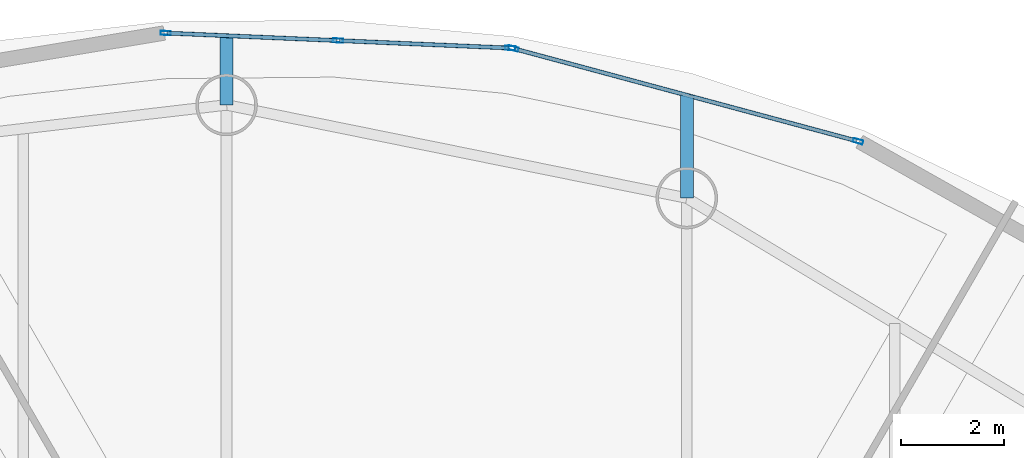
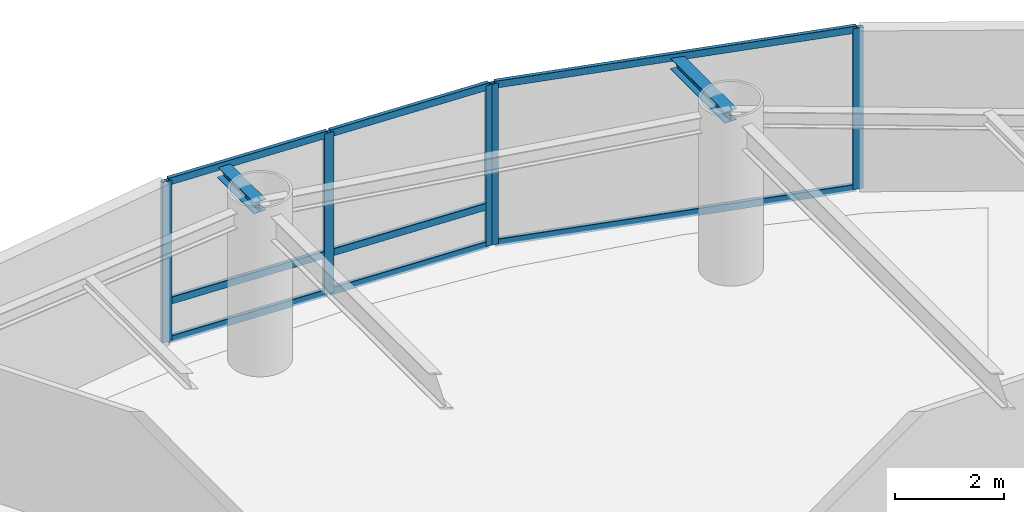
# One storey, part 12 of 20: 13 members, 2 beams, 2 elements without a shape of their own.
"""IFC4 building model written with IfcOpenShell, lengths in metres."""

from ifc_helpers import new_model, si_unit, direction, frame, origin, origin_2d, place, context, subcontext, project, spatial, hollow_rectangle, i_section, extrude, material, layer, layer_set, material_profile, profile_set, type_object, element, aggregate, save


model = new_model("IFC4")

# Units and contexts
model_context = context("Model", 3, precision=1e-05, world=origin(), true_north=direction((0.0, 1.0)))
body_context = subcontext(model_context, "Body", "Model", "MODEL_VIEW")
ifc_project = project(units=[si_unit("LENGTHUNIT", "METRE"), si_unit("AREAUNIT", "SQUARE_METRE"), si_unit("VOLUMEUNIT", "CUBIC_METRE"), si_unit("PLANEANGLEUNIT", "RADIAN"), si_unit("MASSUNIT", "GRAM", prefix="KILO")], contexts=[model_context])

# Site, building, storey
site_placement = place(None, origin())
site = spatial("IfcSite", under=ifc_project, at=site_placement, CompositionType="ELEMENT")
building_placement = place(site_placement, origin())
building = spatial("IfcBuilding", under=site, at=building_placement, Name="Bramvorn Convention Spire", CompositionType="ELEMENT")
storey_placement = place(building_placement, frame((0.0, 0.0, 178.89990234375)))
storey = spatial("IfcBuildingStorey", under=building, at=storey_placement, Name="L45", CompositionType="ELEMENT", Elevation=178.89990234375)

# Beams
ifc_material_1 = material(Name="Steel CSA G40.21 Grade 350 (350W)", Category="steel")
ifc_material_profile_1 = material_profile(ifc_material_1, i_section(OverallWidth=0.25390625, OverallDepth=0.2529296875, WebThickness=0.008544921875, FlangeThickness=0.01416015625, FilletRadius=0.011962890625, at=origin_2d()))
ifc_profile_set_1 = profile_set([ifc_material_profile_1], Name="Steel CSA G40.21 Grade 350 (350W) - W250X73")
beam_type = type_object("IfcBeamType", Name="BM-W250X73", PredefinedType="BEAM", material=ifc_profile_set_1)
beam_1_placement = place(storey_placement, frame((42.38916015625, 44.772216796875, 3.45849609375), z_axis=(0.0, 1.0, 0.0), x_axis=(-1.0, 0.0, 0.0)))
element("IfcBeam", 1, at=beam_1_placement, inside=storey, type_object=beam_type, Name="L45 slab-edge cantilever tip beam MC06", PredefinedType="BEAM", context=body_context, shape_type="SweptSolid", body=[
    extrude(i_section(OverallWidth=0.25390625, OverallDepth=0.2529296875, WebThickness=0.008544921875, FlangeThickness=0.01416015625, FilletRadius=0.011962890625, at=origin_2d()), origin(), (0.0, 0.0, 1.0), 2.0068359375),
])
beam_2_placement = place(storey_placement, frame((33.416259765625, 46.58837890625, 3.45849609375), z_axis=(0.0, 1.0, 0.0), x_axis=(-1.0, 0.0, 0.0)))
element("IfcBeam", 2, at=beam_2_placement, inside=storey, type_object=beam_type, Name="L45 slab-edge cantilever tip beam MC07", PredefinedType="BEAM", context=body_context, shape_type="SweptSolid", body=[
    extrude(i_section(OverallWidth=0.25390625, OverallDepth=0.2529296875, WebThickness=0.008544921875, FlangeThickness=0.01416015625, FilletRadius=0.011962890625, at=origin_2d()), origin(), (0.0, 0.0, 1.0), 1.366455078125),
])

# Curtain wall, members
ifc_material_2 = material(Name="Anodised Bronze Unitised Curtain Wall", Category="aluminium")
ifc_layer = layer(ifc_material_2, 0.179931640625)
ifc_layer_set = layer_set([ifc_layer], Name="Anodised Bronze Unitised Curtain Wall - CW-OFF-FRIT")
curtain_wall_type = type_object("IfcCurtainWallType", Name="CW-OFF-FRIT", PredefinedType="USERDEFINED", material=ifc_layer_set)
curtain_wall_1_placement = place(storey_placement, origin())
curtain_wall_1 = element("IfcCurtainWall", 3, at=curtain_wall_1_placement, inside=storey, type_object=curtain_wall_type, Name="L45 fritted glass curtain wall 08", ObjectType="UNITISED CURTAIN WALL", PredefinedType="USERDEFINED")
ifc_material_3 = material(Name="Anodised Bronze Aluminium 6063-T6", Category="aluminium")
ifc_material_profile_2 = material_profile(ifc_material_3, hollow_rectangle(XDim=0.080078125, YDim=0.199951171875, WallThickness=0.00390625, InnerFilletRadius=0.0009765625, OuterFilletRadius=0.00390625, at=origin_2d()))
ifc_profile_set_2 = profile_set([ifc_material_profile_2], Name="Anodised Bronze Aluminium 6063-T6 - CWM80X200")
member_type_1 = type_object("IfcMemberType", Name="CW-MUL-180", PredefinedType="MULLION", material=ifc_profile_set_2)
member_1_placement = place(storey_placement, frame((39.00830078125, 47.6875, 0.0), z_axis=(0.0, 0.0, 1.0), x_axis=(0.259818116875, 0.965657571888, 0.0)))
member_1 = element("IfcMember", 4, at=member_1_placement, type_object=member_type_1, Name="CW3 mullion 1", PredefinedType="MULLION", context=body_context, shape_type="SweptSolid", body=[
    extrude(hollow_rectangle(XDim=0.080078125, YDim=0.199951171875, WallThickness=0.00390625, InnerFilletRadius=0.0009765625, OuterFilletRadius=0.00390625, at=origin_2d()), origin(), (0.0, 0.0, 1.0), 3.6201171875),
])
member_2_placement = place(storey_placement, frame((45.72705078125, 45.879638671875, 0.0), z_axis=(0.0, 0.0, 1.0), x_axis=(0.259818116875, 0.965657571888, 0.0)))
member_2 = element("IfcMember", 5, at=member_2_placement, type_object=member_type_1, Name="CW3 mullion 2", PredefinedType="MULLION", context=body_context, shape_type="SweptSolid", body=[
    extrude(hollow_rectangle(XDim=0.080078125, YDim=0.199951171875, WallThickness=0.00390625, InnerFilletRadius=0.0009765625, OuterFilletRadius=0.00390625, at=origin_2d()), origin(), (0.0, 0.0, 1.0), 3.6201171875),
])

curtain_wall_2_placement = place(storey_placement, origin())
curtain_wall_2 = element("IfcCurtainWall", 6, at=curtain_wall_2_placement, inside=storey, type_object=curtain_wall_type, Name="L45 fritted glass curtain wall 09", ObjectType="UNITISED CURTAIN WALL", PredefinedType="USERDEFINED")
member_3_placement = place(storey_placement, frame((32.231201171875, 47.989501953125, 0.0), z_axis=(0.0, 0.0, 1.0), x_axis=(0.043569628081, 0.999050392878, 0.0)))
member_3 = element("IfcMember", 7, at=member_3_placement, type_object=member_type_1, Name="CW3 mullion 1", PredefinedType="MULLION", context=body_context, shape_type="SweptSolid", body=[
    extrude(hollow_rectangle(XDim=0.080078125, YDim=0.199951171875, WallThickness=0.00390625, InnerFilletRadius=0.0009765625, OuterFilletRadius=0.00390625, at=origin_2d()), origin(), (0.0, 0.0, 1.0), 3.6201171875),
])
member_4_placement = place(storey_placement, frame((35.59033203125, 47.843017578125, 0.0), z_axis=(0.0, 0.0, 1.0), x_axis=(0.043569628081, 0.999050392878, 0.0)))
member_4 = element("IfcMember", 8, at=member_4_placement, type_object=member_type_1, Name="CW3 mullion 2", PredefinedType="MULLION", context=body_context, shape_type="SweptSolid", body=[
    extrude(hollow_rectangle(XDim=0.080078125, YDim=0.199951171875, WallThickness=0.00390625, InnerFilletRadius=0.0009765625, OuterFilletRadius=0.00390625, at=origin_2d()), origin(), (0.0, 0.0, 1.0), 3.6201171875),
])
member_5_placement = place(storey_placement, frame((38.949462890625, 47.696533203125, 0.0), z_axis=(0.0, 0.0, 1.0), x_axis=(0.043569628081, 0.999050392878, 0.0)))
member_5 = element("IfcMember", 9, at=member_5_placement, type_object=member_type_1, Name="CW3 mullion 3", PredefinedType="MULLION", context=body_context, shape_type="SweptSolid", body=[
    extrude(hollow_rectangle(XDim=0.080078125, YDim=0.199951171875, WallThickness=0.00390625, InnerFilletRadius=0.0009765625, OuterFilletRadius=0.00390625, at=origin_2d()), origin(), (0.0, 0.0, 1.0), 3.6201171875),
])

# Member
ifc_material_profile_3 = material_profile(ifc_material_3, hollow_rectangle(XDim=0.080078125, YDim=0.159912109375, WallThickness=0.00390625, InnerFilletRadius=0.0009765625, OuterFilletRadius=0.00390625, at=origin_2d()))
ifc_profile_set_3 = profile_set([ifc_material_profile_3], Name="Anodised Bronze Aluminium 6063-T6 - CWT80X160")
member_type_2 = type_object("IfcMemberType", Name="CW-TRN-150", PredefinedType="USERDEFINED", material=ifc_profile_set_3)
member_6_placement = place(storey_placement, frame((39.037353515625, 47.6796875, 0.030029296875), z_axis=(0.96565265747, -0.259836381442, 0.0), x_axis=(0.259836381442, 0.96565265747, 0.0)))
member_6 = element("IfcMember", 10, at=member_6_placement, type_object=member_type_2, Name="CW3 transom 1.1", ObjectType="TRANSOM", PredefinedType="USERDEFINED", context=body_context, shape_type="SweptSolid", body=[
    extrude(hollow_rectangle(XDim=0.080078125, YDim=0.159912109375, WallThickness=0.00390625, InnerFilletRadius=0.0009765625, OuterFilletRadius=0.00390625, at=origin_2d()), origin(), (0.0, 0.0, 1.0), 6.8974609375),
])

member_7_placement = place(storey_placement, frame((39.037353515625, 47.6796875, 3.590087890625), z_axis=(0.96565265747, -0.259836381442, 0.0), x_axis=(0.259836381442, 0.96565265747, 0.0)))
member_7 = element("IfcMember", 11, at=member_7_placement, type_object=member_type_2, Name="CW3 transom 1.2", ObjectType="TRANSOM", PredefinedType="USERDEFINED", context=body_context, shape_type="SweptSolid", body=[
    extrude(hollow_rectangle(XDim=0.080078125, YDim=0.159912109375, WallThickness=0.00390625, InnerFilletRadius=0.0009765625, OuterFilletRadius=0.00390625, at=origin_2d()), origin(), (0.0, 0.0, 1.0), 6.8974609375),
])

aggregate(curtain_wall_1, [member_1, member_2, member_6, member_7])

member_8_placement = place(storey_placement, frame((32.26123046875, 47.98828125, 0.030029296875), z_axis=(0.999048190399, -0.043620101557, 0.0), x_axis=(0.043620101557, 0.999048190399, 0.0)))
member_8 = element("IfcMember", 12, at=member_8_placement, type_object=member_type_2, Name="CW3 transom 1.1", ObjectType="TRANSOM", PredefinedType="USERDEFINED", context=body_context, shape_type="SweptSolid", body=[
    extrude(hollow_rectangle(XDim=0.080078125, YDim=0.159912109375, WallThickness=0.00390625, InnerFilletRadius=0.0009765625, OuterFilletRadius=0.00390625, at=origin_2d()), origin(), (0.0, 0.0, 1.0), 3.30224609375),
])

member_9_placement = place(storey_placement, frame((32.26123046875, 47.98828125, 0.900146484375), z_axis=(0.999048190399, -0.043620101557, 0.0), x_axis=(0.043620101557, 0.999048190399, 0.0)))
member_9 = element("IfcMember", 13, at=member_9_placement, type_object=member_type_2, Name="CW3 transom 1.2", ObjectType="TRANSOM", PredefinedType="USERDEFINED", context=body_context, shape_type="SweptSolid", body=[
    extrude(hollow_rectangle(XDim=0.080078125, YDim=0.159912109375, WallThickness=0.00390625, InnerFilletRadius=0.0009765625, OuterFilletRadius=0.00390625, at=origin_2d()), origin(), (0.0, 0.0, 1.0), 3.30224609375),
])

member_10_placement = place(storey_placement, frame((32.26123046875, 47.98828125, 3.590087890625), z_axis=(0.999048190399, -0.043620101557, 0.0), x_axis=(0.043620101557, 0.999048190399, 0.0)))
member_10 = element("IfcMember", 14, at=member_10_placement, type_object=member_type_2, Name="CW3 transom 1.3", ObjectType="TRANSOM", PredefinedType="USERDEFINED", context=body_context, shape_type="SweptSolid", body=[
    extrude(hollow_rectangle(XDim=0.080078125, YDim=0.159912109375, WallThickness=0.00390625, InnerFilletRadius=0.0009765625, OuterFilletRadius=0.00390625, at=origin_2d()), origin(), (0.0, 0.0, 1.0), 3.30224609375),
])

member_11_placement = place(storey_placement, frame((35.620361328125, 47.841796875, 0.030029296875), z_axis=(0.999048190399, -0.043620101557, 0.0), x_axis=(0.043620101557, 0.999048190399, 0.0)))
member_11 = element("IfcMember", 15, at=member_11_placement, type_object=member_type_2, Name="CW3 transom 2.1", ObjectType="TRANSOM", PredefinedType="USERDEFINED", context=body_context, shape_type="SweptSolid", body=[
    extrude(hollow_rectangle(XDim=0.080078125, YDim=0.159912109375, WallThickness=0.00390625, InnerFilletRadius=0.0009765625, OuterFilletRadius=0.00390625, at=origin_2d()), origin(), (0.0, 0.0, 1.0), 3.30224609375),
])

member_12_placement = place(storey_placement, frame((35.620361328125, 47.841796875, 0.900146484375), z_axis=(0.999048190399, -0.043620101557, 0.0), x_axis=(0.043620101557, 0.999048190399, 0.0)))
member_12 = element("IfcMember", 16, at=member_12_placement, type_object=member_type_2, Name="CW3 transom 2.2", ObjectType="TRANSOM", PredefinedType="USERDEFINED", context=body_context, shape_type="SweptSolid", body=[
    extrude(hollow_rectangle(XDim=0.080078125, YDim=0.159912109375, WallThickness=0.00390625, InnerFilletRadius=0.0009765625, OuterFilletRadius=0.00390625, at=origin_2d()), origin(), (0.0, 0.0, 1.0), 3.30224609375),
])

member_13_placement = place(storey_placement, frame((35.620361328125, 47.841796875, 3.590087890625), z_axis=(0.999048190399, -0.043620101557, 0.0), x_axis=(0.043620101557, 0.999048190399, 0.0)))
member_13 = element("IfcMember", 17, at=member_13_placement, type_object=member_type_2, Name="CW3 transom 2.3", ObjectType="TRANSOM", PredefinedType="USERDEFINED", context=body_context, shape_type="SweptSolid", body=[
    extrude(hollow_rectangle(XDim=0.080078125, YDim=0.159912109375, WallThickness=0.00390625, InnerFilletRadius=0.0009765625, OuterFilletRadius=0.00390625, at=origin_2d()), origin(), (0.0, 0.0, 1.0), 3.30224609375),
])

aggregate(curtain_wall_2, [member_3, member_4, member_5, member_8, member_9, member_10, member_11, member_12, member_13])

save(model, "model.ifc")
